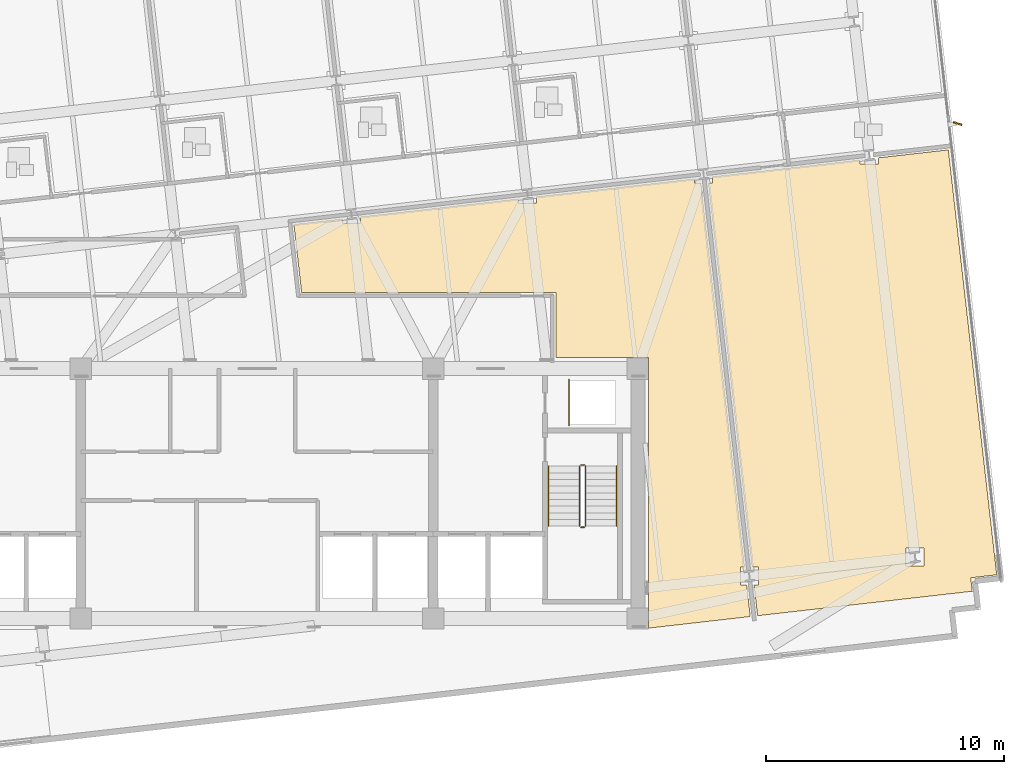
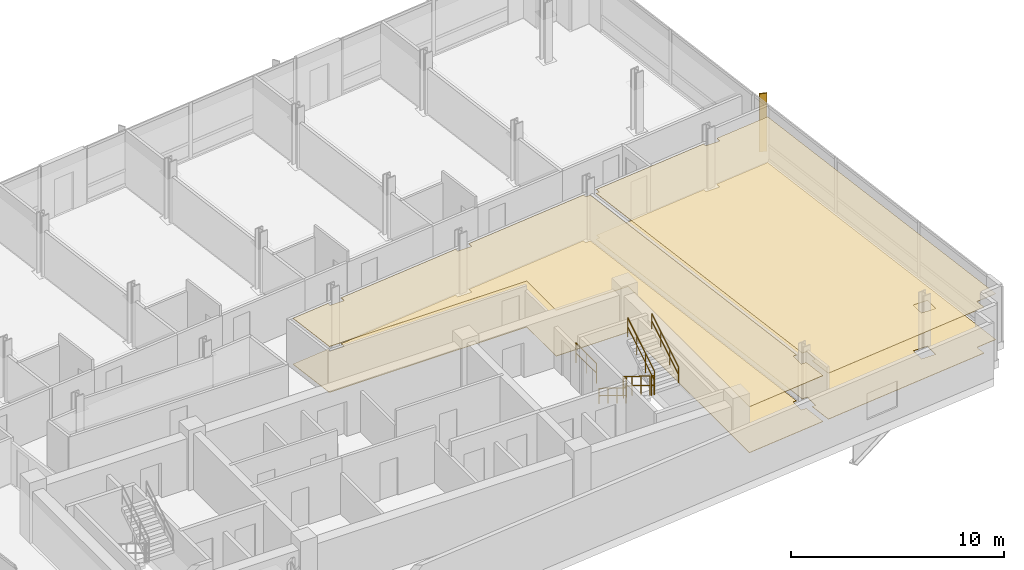
# One storey, part 13 of 15: 7 railings, 4 coverings, 1 shading device.
"""IFC4 building model written with IfcOpenShell, lengths in metres."""

from ifc_helpers import new_model, si_unit, direction, frame, origin, origin_2d, place, context, subcontext, project, spatial, polyline, rectangle, circle, outline, extrude, material, layer, layer_set, type_object, element, save


model = new_model("IFC4")

# Units and contexts
model_context = context("Model", 3, precision=1e-05, world=origin(), true_north=direction((0.0, 1.0)))
body_context = subcontext(model_context, "Body", "Model", "MODEL_VIEW")
ifc_project = project(units=[si_unit("LENGTHUNIT", "METRE"), si_unit("AREAUNIT", "SQUARE_METRE"), si_unit("VOLUMEUNIT", "CUBIC_METRE"), si_unit("PLANEANGLEUNIT", "RADIAN"), si_unit("MASSUNIT", "GRAM", prefix="KILO")], contexts=[model_context])

# Site, building, storey
site_placement = place(None, origin())
site = spatial("IfcSite", under=ifc_project, at=site_placement, CompositionType="ELEMENT")
building_placement = place(site_placement, origin())
building = spatial("IfcBuilding", under=site, at=building_placement, Name="Solmavex Isthmus Hotel", CompositionType="ELEMENT")
storey_placement = place(building_placement, frame((0.0, 0.0, 191.699951171875)))
storey = spatial("IfcBuildingStorey", under=building, at=storey_placement, Name="L51", CompositionType="ELEMENT", Elevation=191.699951171875)

# Coverings
ifc_material_1 = material(Name="Gypsum plasterboard lining", Category="gypsum")
ifc_layer_1 = layer(ifc_material_1, 0.030029296875)
ifc_layer_set_1 = layer_set([ifc_layer_1], Name="Gypsum plasterboard lining")
covering_type_1 = type_object("IfcCoveringType", Name="COV-CEIL-GYP", PredefinedType="CEILING", material=ifc_layer_set_1)
covering_1_placement = place(storey_placement, frame((0.0, 0.0, 2.6201171875)))
element("IfcCovering", 1, at=covering_1_placement, inside=storey, type_object=covering_type_1, Name="Suspended Acoustic Ceiling L51-FL11", PredefinedType="CEILING", context=body_context, shape_type="SweptSolid", body=[
    extrude(outline(polyline([(4.34228515625, 3.873779296875), (4.34228515625, 3.6064453125), (3.582275390625, 3.6064453125), (3.582275390625, 3.787109375), (1.547607421875, 3.555419921875), (1.872314453125, 0.705078125), (12.554931640625, 0.705078125), (12.554931640625, -2.044921875), (16.455078125, -2.044921875), (16.455078125, -13.406005859375), (20.720947265625, -12.920166015625), (20.5703125, -11.598388671875), (20.302978515625, -11.598388671875), (20.302978515625, -10.83837890625), (20.483642578125, -10.83837890625), (18.645751953125, 5.292236328125), (18.378662109375, 5.292236328125), (18.378662109375, 5.472900390625), (11.740478515625, 4.716796875), (11.740478515625, 4.449462890625), (10.98046875, 4.449462890625), (10.98046875, 4.630126953125), (4.34228515625, 3.873779296875)])), origin(), (0.0, 0.0, 1.0), 0.030029296875),
])
covering_2_placement = place(storey_placement, frame((0.0, 0.0, 2.6201171875)))
element("IfcCovering", 2, at=covering_2_placement, inside=storey, type_object=covering_type_1, Name="Suspended Acoustic Ceiling L51-FL12", PredefinedType="CEILING", context=body_context, shape_type="SweptSolid", body=[
    extrude(outline(polyline([(20.795654296875, -10.83837890625), (21.06298828125, -10.83837890625), (21.06298828125, -11.598388671875), (20.88232421875, -11.598388671875), (21.02880859375, -12.885009765625), (30.048583984375, -11.857421875), (29.98388671875, -11.291015625), (31.076904296875, -11.16650390625), (30.983642578125, -10.3466796875), (29.042724609375, 6.68798828125), (26.1015625, 6.35302734375), (26.1015625, 6.085693359375), (25.341552734375, 6.085693359375), (25.341552734375, 6.266357421875), (19.138427734375, 5.5595703125), (19.138427734375, 5.292236328125), (18.957763671875, 5.292236328125), (20.795654296875, -10.83837890625)]), holes=[polyline([(27.265869140625, -10.80517578125), (27.265869140625, -10.045166015625), (28.02587890625, -10.045166015625), (28.02587890625, -10.80517578125), (27.265869140625, -10.80517578125)])]), origin(), (0.0, 0.0, 1.0), 0.030029296875),
])
ifc_material_2 = material(Name="Travertine natural stone", Category="masonry")
ifc_layer_2 = layer(ifc_material_2, 0.02490234375)
ifc_layer_set_2 = layer_set([ifc_layer_2], Name="Travertine natural stone")
covering_type_2 = type_object("IfcCoveringType", Name="COV-FLOR-STN", PredefinedType="FLOORING", material=ifc_layer_set_2)
covering_3_placement = place(storey_placement, origin())
element("IfcCovering", 3, at=covering_3_placement, inside=storey, type_object=covering_type_2, Name="Stone and Timber Floor Finish L51-FL11", PredefinedType="FLOORING", context=body_context, shape_type="SweptSolid", body=[
    extrude(outline(polyline([(4.34228515625, 3.873779296875), (4.34228515625, 3.6064453125), (3.582275390625, 3.6064453125), (3.582275390625, 3.787109375), (1.547607421875, 3.555419921875), (1.872314453125, 0.705078125), (12.554931640625, 0.705078125), (12.554931640625, -2.044921875), (16.455078125, -2.044921875), (16.455078125, -13.406005859375), (20.720947265625, -12.920166015625), (20.5703125, -11.598388671875), (20.302978515625, -11.598388671875), (20.302978515625, -10.83837890625), (20.483642578125, -10.83837890625), (18.645751953125, 5.292236328125), (18.378662109375, 5.292236328125), (18.378662109375, 5.472900390625), (11.740478515625, 4.716796875), (11.740478515625, 4.449462890625), (10.98046875, 4.449462890625), (10.98046875, 4.630126953125), (4.34228515625, 3.873779296875)])), origin(), (0.0, 0.0, 1.0), 0.025146484375),
])
covering_4_placement = place(storey_placement, origin())
element("IfcCovering", 4, at=covering_4_placement, inside=storey, type_object=covering_type_2, Name="Stone and Timber Floor Finish L51-FL12", PredefinedType="FLOORING", context=body_context, shape_type="SweptSolid", body=[
    extrude(outline(polyline([(20.795654296875, -10.83837890625), (21.06298828125, -10.83837890625), (21.06298828125, -11.598388671875), (20.88232421875, -11.598388671875), (21.02880859375, -12.885009765625), (30.048583984375, -11.857421875), (29.98388671875, -11.291015625), (31.076904296875, -11.16650390625), (30.983642578125, -10.3466796875), (29.042724609375, 6.68798828125), (26.1015625, 6.35302734375), (26.1015625, 6.085693359375), (25.341552734375, 6.085693359375), (25.341552734375, 6.266357421875), (19.138427734375, 5.5595703125), (19.138427734375, 5.292236328125), (18.957763671875, 5.292236328125), (20.795654296875, -10.83837890625)]), holes=[polyline([(27.265869140625, -10.80517578125), (27.265869140625, -10.045166015625), (28.02587890625, -10.045166015625), (28.02587890625, -10.80517578125), (27.265869140625, -10.80517578125)])]), origin(), (0.0, 0.0, 1.0), 0.025146484375),
])

# Railings
ifc_material_3 = material(Name="Clear low-E laminated glass", Category="glass")
ifc_layer_3 = layer(ifc_material_3, 0.080078125)
ifc_layer_set_3 = layer_set([ifc_layer_3], Name="Clear low-E laminated glass")
railing_type_1 = type_object("IfcRailingType", Name="RAIL-ATRIUM-1120", PredefinedType="BALUSTRADE", material=ifc_layer_set_3)
railing_1_placement = place(storey_placement, frame((13.10009765625, -4.89990234375, 0.0)))
element("IfcRailing", 5, at=railing_1_placement, inside=storey, type_object=railing_type_1, Name="Guardrail Balustrade L51-RSE-01", PredefinedType="BALUSTRADE", context=body_context, shape_type="SweptSolid", body=[
    extrude(circle(Radius=0.02392578125, at=origin_2d()), frame((0.0, 0.0, 1.1259765625), z_axis=(0.0, 1.0, 0.0), x_axis=(-1.0, 0.0, 0.0)), (0.0, 0.0, 1.0), 1.949951171875),
    extrude(circle(Radius=0.02392578125, at=origin_2d()), frame((0.0, 0.0, 0.574951171875), z_axis=(0.0, 1.0, 0.0), x_axis=(-1.0, 0.0, 0.0)), (0.0, 0.0, 1.0), 1.949951171875),
    extrude(circle(Radius=0.02099609375, at=origin_2d()), origin(), (0.0, 0.0, 1.0), 1.101806640625),
    extrude(circle(Radius=0.02099609375, at=origin_2d()), frame((0.0, 0.97509765625, 0.0)), (0.0, 0.0, 1.0), 1.101806640625),
    extrude(circle(Radius=0.02099609375, at=origin_2d()), frame((0.0, 1.949951171875, 0.0)), (0.0, 0.0, 1.0), 1.101806640625),
])
ifc_material_4 = material(Name="Stainless steel 316", Category="steel")
ifc_layer_4 = layer(ifc_material_4, 0.06005859375)
ifc_layer_set_4 = layer_set([ifc_layer_4], Name="Stainless steel 316")
railing_type_2 = type_object("IfcRailingType", Name="RAIL-STAIR-GD", PredefinedType="GUARDRAIL", material=ifc_layer_set_4)
railing_2_placement = place(storey_placement, frame((13.550048828125, -6.60009765625, 0.172607421875)))
element("IfcRailing", 6, at=railing_2_placement, inside=storey, type_object=railing_type_2, Name="L51 ST-2 stair guard 1", PredefinedType="GUARDRAIL", context=body_context, shape_type="SweptSolid", body=[
    extrude(circle(Radius=0.02392578125, at=origin_2d()), frame((0.0, 0.0, 1.09619140625), z_axis=(0.0, -0.851400495292, 0.524516154772), x_axis=(1.0, 0.0, 0.0)), (0.0, 0.0, 1.0), 2.9599609375),
    extrude(circle(Radius=0.02392578125, at=origin_2d()), frame((0.0, 0.0, 0.56005859375), z_axis=(0.0, -0.851400495292, 0.524516154772), x_axis=(1.0, 0.0, 0.0)), (0.0, 0.0, 1.0), 2.9599609375),
    extrude(circle(Radius=0.02099609375, at=origin_2d()), origin(), (0.0, 0.0, 1.0), 1.072021484375),
    extrude(circle(Radius=0.02099609375, at=origin_2d()), frame((0.0, -0.840087890625, 0.517578125)), (0.0, 0.0, 1.0), 1.072021484375),
    extrude(circle(Radius=0.02099609375, at=origin_2d()), frame((0.0, -1.679931640625, 1.034912109375)), (0.0, 0.0, 1.0), 1.072021484375),
    extrude(circle(Radius=0.02099609375, at=origin_2d()), frame((0.0, -2.52001953125, 1.552490234375)), (0.0, 0.0, 1.0), 1.072021484375),
])
railing_3_placement = place(storey_placement, frame((13.60009765625, -9.169921875, 1.72509765625)))
element("IfcRailing", 7, at=railing_3_placement, inside=storey, type_object=railing_type_2, Name="L51 ST-2 stair guard 2", PredefinedType="GUARDRAIL", context=body_context, shape_type="SweptSolid", body=[
    extrude(circle(Radius=0.02392578125, at=origin_2d()), frame((0.0, 0.0, 1.09619140625), z_axis=(1.0, 0.0, 0.0), x_axis=(0.0, 1.0, 0.0)), (0.0, 0.0, 1.0), 0.14990234375),
    extrude(circle(Radius=0.02392578125, at=origin_2d()), frame((0.0, 0.0, 0.56005859375), z_axis=(1.0, 0.0, 0.0), x_axis=(0.0, 1.0, 0.0)), (0.0, 0.0, 1.0), 0.14990234375),
    extrude(circle(Radius=0.02099609375, at=origin_2d()), origin(), (0.0, 0.0, 1.0), 1.072021484375),
    extrude(circle(Radius=0.02099609375, at=origin_2d()), frame((0.14990234375, 0.0, 0.0)), (0.0, 0.0, 1.0), 1.072021484375),
])
railing_4_placement = place(storey_placement, frame((13.800048828125, -9.1201171875, 1.8974609375)))
element("IfcRailing", 8, at=railing_4_placement, inside=storey, type_object=railing_type_2, Name="L51 ST-2 stair guard 3", PredefinedType="GUARDRAIL", context=body_context, shape_type="SweptSolid", body=[
    extrude(circle(Radius=0.02392578125, at=origin_2d()), frame((0.0, 0.0, 1.09619140625), z_axis=(0.0, 0.851400495292, 0.524516154772), x_axis=(-1.0, 0.0, 0.0)), (0.0, 0.0, 1.0), 2.9599609375),
    extrude(circle(Radius=0.02392578125, at=origin_2d()), frame((0.0, 0.0, 0.56005859375), z_axis=(0.0, 0.851400495292, 0.524516154772), x_axis=(-1.0, 0.0, 0.0)), (0.0, 0.0, 1.0), 2.9599609375),
    extrude(circle(Radius=0.02099609375, at=origin_2d()), origin(), (0.0, 0.0, 1.0), 1.072021484375),
    extrude(circle(Radius=0.02099609375, at=origin_2d()), frame((0.0, 0.840087890625, 0.517578125)), (0.0, 0.0, 1.0), 1.072021484375),
    extrude(circle(Radius=0.02099609375, at=origin_2d()), frame((0.0, 1.679931640625, 1.034912109375)), (0.0, 0.0, 1.0), 1.072021484375),
    extrude(circle(Radius=0.02099609375, at=origin_2d()), frame((0.0, 2.52001953125, 1.552490234375)), (0.0, 0.0, 1.0), 1.072021484375),
])
railing_5_placement = place(storey_placement, frame((13.60009765625, -6.550048828125, 0.0)))
element("IfcRailing", 9, at=railing_5_placement, inside=storey, type_object=railing_type_2, Name="L51 ST-2 stair guard 4", PredefinedType="GUARDRAIL", context=body_context, shape_type="SweptSolid", body=[
    extrude(circle(Radius=0.02392578125, at=origin_2d()), frame((0.0, 0.0, 1.09619140625), z_axis=(1.0, 0.0, 0.0), x_axis=(0.0, 1.0, 0.0)), (0.0, 0.0, 1.0), 0.14990234375),
    extrude(circle(Radius=0.02392578125, at=origin_2d()), frame((0.0, 0.0, 0.56005859375), z_axis=(1.0, 0.0, 0.0), x_axis=(0.0, 1.0, 0.0)), (0.0, 0.0, 1.0), 0.14990234375),
    extrude(circle(Radius=0.02099609375, at=origin_2d()), origin(), (0.0, 0.0, 1.0), 1.072021484375),
    extrude(circle(Radius=0.02099609375, at=origin_2d()), frame((0.14990234375, 0.0, 0.0)), (0.0, 0.0, 1.0), 1.072021484375),
])
ifc_layer_5 = layer(ifc_material_4, 0.050048828125)
ifc_layer_set_5 = layer_set([ifc_layer_5], Name="Stainless steel 316")
railing_type_3 = type_object("IfcRailingType", Name="RAIL-STAIR-HR", PredefinedType="HANDRAIL", material=ifc_layer_set_5)
railing_6_placement = place(storey_placement, frame((12.25, -6.60009765625, 0.172607421875)))
element("IfcRailing", 10, at=railing_6_placement, inside=storey, type_object=railing_type_3, Name="L51 ST-2 stair handrail 1", PredefinedType="HANDRAIL", context=body_context, shape_type="SweptSolid", body=[
    extrude(circle(Radius=0.02392578125, at=origin_2d()), frame((0.0, 0.0, 0.8759765625), z_axis=(0.0, -0.851400495292, 0.524516154772), x_axis=(1.0, 0.0, 0.0)), (0.0, 0.0, 1.0), 2.9599609375),
    extrude(circle(Radius=0.02392578125, at=origin_2d()), frame((0.0, 0.0, 0.449951171875), z_axis=(0.0, -0.851400495292, 0.524516154772), x_axis=(1.0, 0.0, 0.0)), (0.0, 0.0, 1.0), 2.9599609375),
    extrude(circle(Radius=0.02099609375, at=origin_2d()), origin(), (0.0, 0.0, 1.0), 0.851806640625),
    extrude(circle(Radius=0.02099609375, at=origin_2d()), frame((0.0, -0.840087890625, 0.517578125)), (0.0, 0.0, 1.0), 0.851806640625),
    extrude(circle(Radius=0.02099609375, at=origin_2d()), frame((0.0, -1.679931640625, 1.034912109375)), (0.0, 0.0, 1.0), 0.851806640625),
    extrude(circle(Radius=0.02099609375, at=origin_2d()), frame((0.0, -2.52001953125, 1.552490234375)), (0.0, 0.0, 1.0), 0.851806640625),
])
railing_7_placement = place(storey_placement, frame((15.10009765625, -9.1201171875, 1.8974609375)))
element("IfcRailing", 11, at=railing_7_placement, inside=storey, type_object=railing_type_3, Name="L51 ST-2 stair handrail 2", PredefinedType="HANDRAIL", context=body_context, shape_type="SweptSolid", body=[
    extrude(circle(Radius=0.02392578125, at=origin_2d()), frame((0.0, 0.0, 0.8759765625), z_axis=(0.0, 0.851400495292, 0.524516154772), x_axis=(-1.0, 0.0, 0.0)), (0.0, 0.0, 1.0), 2.9599609375),
    extrude(circle(Radius=0.02392578125, at=origin_2d()), frame((0.0, 0.0, 0.449951171875), z_axis=(0.0, 0.851400495292, 0.524516154772), x_axis=(-1.0, 0.0, 0.0)), (0.0, 0.0, 1.0), 2.9599609375),
    extrude(circle(Radius=0.02099609375, at=origin_2d()), origin(), (0.0, 0.0, 1.0), 0.851806640625),
    extrude(circle(Radius=0.02099609375, at=origin_2d()), frame((0.0, 0.840087890625, 0.517578125)), (0.0, 0.0, 1.0), 0.851806640625),
    extrude(circle(Radius=0.02099609375, at=origin_2d()), frame((0.0, 1.679931640625, 1.034912109375)), (0.0, 0.0, 1.0), 0.851806640625),
    extrude(circle(Radius=0.02099609375, at=origin_2d()), frame((0.0, 2.52001953125, 1.552490234375)), (0.0, 0.0, 1.0), 0.851806640625),
])

# Shading device
ifc_material_5 = material(Name="Aluminium alloy 6063-T6", Category="aluminium")
shading_device_type = type_object("IfcShadingDeviceType", Name="SHD-FIN-CHAMP", PredefinedType="USERDEFINED", material=ifc_material_5)
shading_device_placement = place(storey_placement, frame((29.434814453125, 7.794677734375, -0.139892578125), z_axis=(0.0, 0.0, 1.0), x_axis=(0.953716950748, -0.300705799504, 0.0)))
element("IfcShadingDevice", 12, at=shading_device_placement, inside=storey, type_object=shading_device_type, Name="Anodised Aluminium Solar Fin L51-E1", ObjectType="SOLAR_FIN", PredefinedType="USERDEFINED", context=body_context, shape_type="SweptSolid", body=[
    extrude(rectangle(XDim=0.3798828125, YDim=0.070068359375, at=origin_2d()), origin(), (0.0, 0.0, 1.0), 3.330078125),
])

save(model, "model.ifc")
